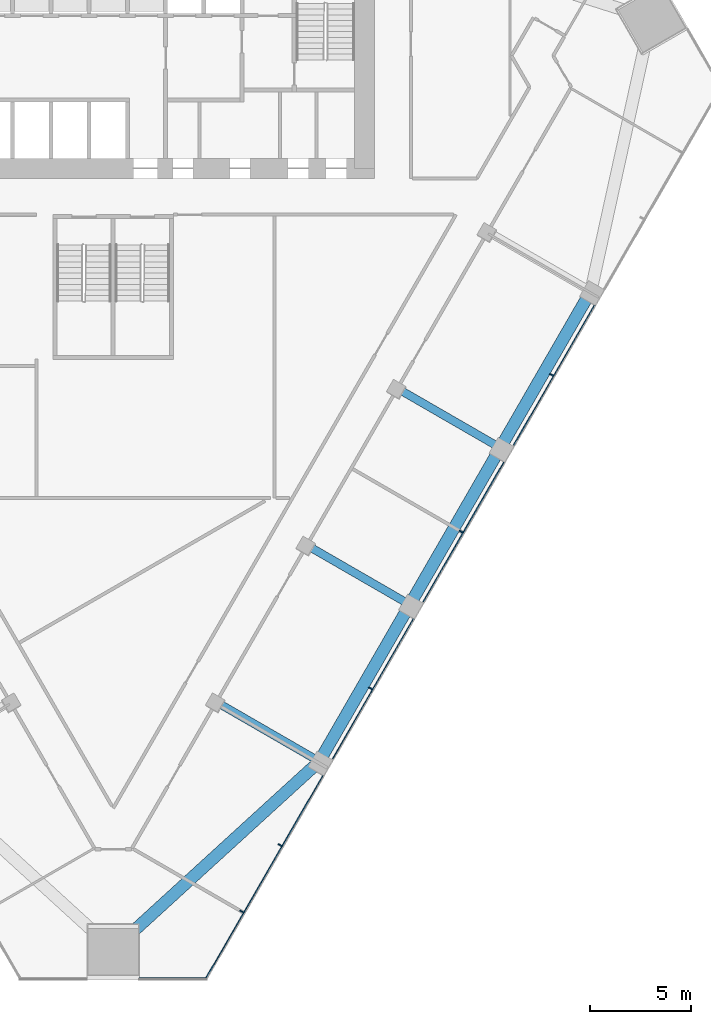
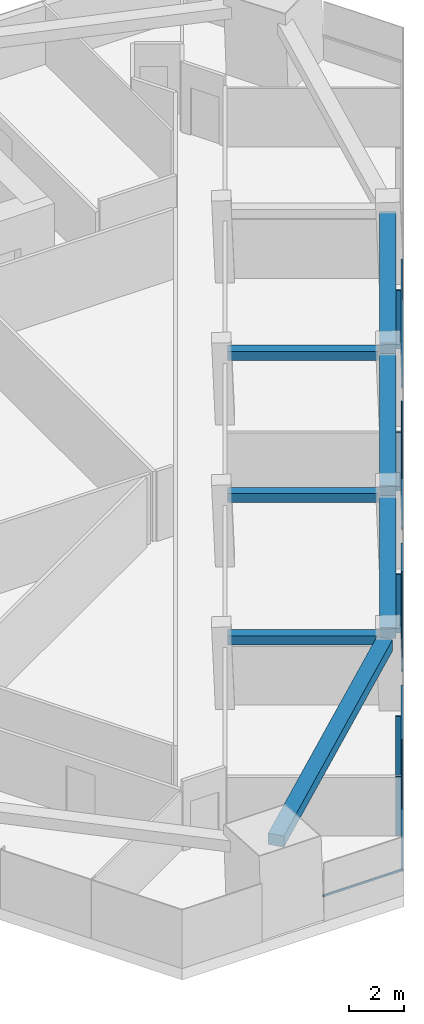
# One storey, part 4 of 13: 10 members, 7 beams, 2 elements without a shape of their own.
"""IFC4 building model written with IfcOpenShell, lengths in metres."""

import ifcopenshell
import ifcopenshell.guid

model = None  # the IFC model being written
_history = None  # IfcOwnerHistory: only IFC2X3 demands one
_inside = {}  # id of a spatial element -> (the spatial element, [elements in it])
_under = {}  # id of a project, library or spatial element -> (it, [spatial elements below it])
_declared = {}  # id of a project -> (the project, [libraries it declares])
_typed = {}  # id of a type object -> (the type object, [elements of that type])
_made_of = {}  # id of a material, layer set ... -> (it, [elements and type objects made of it])


def new_model(schema):
    """Start an empty IFC model of exactly this schema.

    Asked for "IFC4X3", IfcOpenShell would pick the latest addendum, in which some entities
    have other attributes; the version numbers below select the first issue.
    IFC2X3 requires an IfcOwnerHistory on every rooted entity: one is made here for all.
    """
    global model, _history
    if schema == "IFC4X3":
        model = ifcopenshell.file(schema_version=(4, 3, 0, 0))
    else:
        model = ifcopenshell.file(schema=schema)
    _inside.clear()
    _under.clear()
    _declared.clear()
    _typed.clear()
    _made_of.clear()
    _history = None
    if model.schema == "IFC2X3":
        org = make("IfcOrganization", Name="unknown")
        user = make(
            "IfcPersonAndOrganization",
            ThePerson=make("IfcPerson", FamilyName="unknown"),
            TheOrganization=org,
        )
        app = make(
            "IfcApplication",
            ApplicationDeveloper=org,
            Version="unknown",
            ApplicationFullName="unknown",
            ApplicationIdentifier="unknown",
        )
        _history = make(
            "IfcOwnerHistory",
            OwningUser=user,
            OwningApplication=app,
            ChangeAction="ADDED",
            CreationDate=0,
        )
    return model


def make(cls, **values):
    """One entity of the class cls with the attributes given. An attribute that is None is left unset."""
    return model.create_entity(
        cls, **{name: value for name, value in values.items() if value is not None}
    )


def rooted(cls, **values):
    """An entity with a GlobalId (a new one), such as an element, a storey or a relation."""
    return make(cls, GlobalId=ifcopenshell.guid.new(), OwnerHistory=_history, **values)


def si_unit(unit_type, name, prefix=None):
    """IfcSIUnit, for example si_unit("LENGTHUNIT", "METRE", prefix="MILLI")."""
    return make("IfcSIUnit", UnitType=unit_type, Prefix=prefix, Name=name)


def assignment(units):
    """IfcUnitAssignment: the units of a project."""
    return None if units is None else make("IfcUnitAssignment", Units=units)


def point(xyz):
    """IfcCartesianPoint."""
    return None if xyz is None else make("IfcCartesianPoint", Coordinates=xyz)


def direction(xyz):
    """IfcDirection."""
    return None if xyz is None else make("IfcDirection", DirectionRatios=xyz)


def frame(location, z_axis=None, x_axis=None):
    """IfcAxis2Placement3D, a coordinate frame: its origin and axes. An axis left out is left unset."""
    return make(
        "IfcAxis2Placement3D",
        Location=point(location),
        Axis=direction(z_axis),
        RefDirection=direction(x_axis),
    )


def frame_2d(location, x_axis=None):
    """IfcAxis2Placement2D, a coordinate frame in the plane: its origin and x axis."""
    return make(
        "IfcAxis2Placement2D", Location=point(location), RefDirection=direction(x_axis)
    )


def origin():
    """The frame at (0, 0, 0) with its axes left unset."""
    return frame((0.0, 0.0, 0.0))


def origin_2d():
    """The frame at (0, 0) in the plane with its x axis left unset."""
    return frame_2d((0.0, 0.0))


def place(relative_to, where):
    """IfcLocalPlacement: puts the frame where relative to a parent placement (None: the world)."""
    return make(
        "IfcLocalPlacement", PlacementRelTo=relative_to, RelativePlacement=where
    )


def context(
    kind, dimensions, precision=None, world=None, true_north=None, identifier=None
):
    """IfcGeometricRepresentationContext, for example the 3D "Model" context."""
    return make(
        "IfcGeometricRepresentationContext",
        ContextIdentifier=identifier,
        ContextType=kind,
        CoordinateSpaceDimension=dimensions,
        Precision=precision,
        WorldCoordinateSystem=world,
        TrueNorth=true_north,
    )


def subcontext(parent, identifier, kind, view, scale=None):
    """IfcGeometricRepresentationSubContext, for example "Body" below "Model"."""
    return make(
        "IfcGeometricRepresentationSubContext",
        ContextIdentifier=identifier,
        ContextType=kind,
        ParentContext=parent,
        TargetScale=scale,
        TargetView=view,
    )


def project(units=None, contexts=None):
    """IfcProject with its units and contexts."""
    return rooted(
        "IfcProject",
        Name="project",
        RepresentationContexts=contexts,
        UnitsInContext=assignment(units),
    )


def spatial(cls, under=None, at=None, **own):
    """A site, building, storey or space (cls), placed at a placement, below another one or the project."""
    s = rooted(cls, ObjectPlacement=at, **own)
    if under is not None:
        _under.setdefault(under.id(), (under, []))[1].append(s)
    return s


def profile(cls, at=None, kind="AREA", **sizes):
    """A parametric profile (cls). Its sizes go by their IFC names, for example OverallWidth=200.0."""
    return make(cls, ProfileType=kind, Position=at, **sizes)


def rectangle(**sizes):
    """IfcRectangleProfileDef."""
    return profile("IfcRectangleProfileDef", **sizes)


def extrude(swept, where, along, depth):
    """IfcExtrudedAreaSolid: the profile swept, set in the frame where, extruded along a direction by depth."""
    return make(
        "IfcExtrudedAreaSolid",
        SweptArea=swept,
        Position=where,
        ExtrudedDirection=direction(along),
        Depth=depth,
    )


def shape(context_of_items, identifier, shape_type, items):
    """IfcShapeRepresentation: the items that make up one representation, for example the "Body"."""
    return make(
        "IfcShapeRepresentation",
        ContextOfItems=context_of_items,
        RepresentationIdentifier=identifier,
        RepresentationType=shape_type,
        Items=items,
    )


def material(Name=None, Category=None):
    """IfcMaterial."""
    return make("IfcMaterial", Name=Name, Category=Category)


def layer(
    of_material, thickness, ventilated=None, Name=None, Category=None, Priority=None
):
    """IfcMaterialLayer: one layer of a wall or slab, of a material (None: an air gap)."""
    return make(
        "IfcMaterialLayer",
        Material=of_material,
        LayerThickness=thickness,
        IsVentilated=ventilated,
        Name=Name,
        Category=Category,
        Priority=Priority,
    )


def layer_set(layers, Name=None):
    """IfcMaterialLayerSet."""
    return make("IfcMaterialLayerSet", MaterialLayers=layers, LayerSetName=Name)


def material_profile(
    of_material, cross_section, Name=None, Category=None, Priority=None
):
    """IfcMaterialProfile: a cross section and its material."""
    return make(
        "IfcMaterialProfile",
        Name=Name,
        Material=of_material,
        Profile=cross_section,
        Priority=Priority,
        Category=Category,
    )


def profile_set(profiles, Name=None, composite=None):
    """IfcMaterialProfileSet."""
    return make(
        "IfcMaterialProfileSet",
        Name=Name,
        MaterialProfiles=profiles,
        CompositeProfile=composite,
    )


def made_of(thing, what):
    """Note that an element or type object is made of a material, layer set ...; save() writes the relation."""
    if what is not None:
        _made_of.setdefault(what.id(), (what, []))[1].append(thing)
    return thing


def type_object(cls, material=None, **own):
    """A type object (cls), such as IfcWallType, which elements share."""
    return made_of(rooted(cls, **own), material)


def element(
    cls,
    number,
    at=None,
    inside=None,
    cuts=None,
    type_object=None,
    material=None,
    context=None,
    identifier="Body",
    shape_type=None,
    held_by="IfcProductDefinitionShape",
    body=None,
    shapes=None,
    **own,
):
    """One element of the class cls, such as IfcWall. Its Tag is "e" and its number.

    at: its placement. inside: the storey or other place that contains it. cuts: it is an
    opening in that element (IfcRelVoidsElement). A single representation is given by context,
    identifier, shape_type and body (its items); several are given by shapes. held_by: the class
    of the entity that holds the representations. save() writes the other relations.
    """
    e = rooted(cls, Tag="e%d" % number, ObjectPlacement=at, **own)
    if body is not None:
        shapes = [shape(context, identifier, shape_type, body)]
    if shapes is not None:
        e.Representation = make(held_by, Representations=shapes)
    if inside is not None:
        _inside.setdefault(inside.id(), (inside, []))[1].append(e)
    if cuts is not None:
        rooted(
            "IfcRelVoidsElement", RelatingBuildingElement=cuts, RelatedOpeningElement=e
        )
    if type_object is not None:
        _typed.setdefault(type_object.id(), (type_object, []))[1].append(e)
    return made_of(e, material)


def aggregate(whole, parts):
    """IfcRelAggregates: a whole, such as a stair, and the parts it consists of."""
    return rooted("IfcRelAggregates", RelatingObject=whole, RelatedObjects=parts)


def save(model, path):
    """Write the relations noted so far, then the file.

    IfcRelAggregates (storeys below a building ...), IfcRelContainedInSpatialStructure (elements
    in a storey), IfcRelDefinesByType, IfcRelAssociatesMaterial and IfcRelDeclares: one each for
    every whole, place, type object, material and project.
    """
    for whole, parts in _under.values():
        aggregate(whole, parts)
    for where, things in _inside.values():
        rooted(
            "IfcRelContainedInSpatialStructure",
            RelatedElements=things,
            RelatingStructure=where,
        )
    for kind, things in _typed.values():
        rooted("IfcRelDefinesByType", RelatedObjects=things, RelatingType=kind)
    for what, things in _made_of.values():
        rooted("IfcRelAssociatesMaterial", RelatedObjects=things, RelatingMaterial=what)
    for by, libraries in _declared.values():
        rooted("IfcRelDeclares", RelatingContext=by, RelatedDefinitions=libraries)
    model.write(path)


model = new_model("IFC4")

# Units and contexts
model_context = context("Model", 3, precision=1e-05, world=origin(), true_north=direction((0.0, 1.0)))
body_context = subcontext(model_context, "Body", "Model", "MODEL_VIEW")
ifc_project = project(units=[si_unit("LENGTHUNIT", "METRE"), si_unit("AREAUNIT", "SQUARE_METRE"), si_unit("VOLUMEUNIT", "CUBIC_METRE"), si_unit("PLANEANGLEUNIT", "RADIAN"), si_unit("MASSUNIT", "GRAM", prefix="KILO")], contexts=[model_context])

# Site, building, storey
site_placement = place(None, origin())
site = spatial("IfcSite", under=ifc_project, at=site_placement, CompositionType="ELEMENT")
building_placement = place(site_placement, origin())
building = spatial("IfcBuilding", under=site, at=building_placement, Name="Altiplano Prism Tower", CompositionType="ELEMENT")
storey_placement = place(building_placement, frame((0.0, 0.0, 59.39990234375)))
storey = spatial("IfcBuildingStorey", under=building, at=storey_placement, Name="L14", CompositionType="ELEMENT", Elevation=59.39990234375)

# Curtain wall, members
ifc_material_1 = material(Name="Aluminium and glass", Category="aluminium")
ifc_layer = layer(ifc_material_1, 0.303955078125)
ifc_layer_set = layer_set([ifc_layer], Name="Aluminium and glass")
curtain_wall_type = type_object("IfcCurtainWallType", Name="CW2 lounge-band unitised glazing", PredefinedType="NOTDEFINED", material=ifc_layer_set)
curtain_wall_1_placement = place(storey_placement, origin())
curtain_wall_1 = element("IfcCurtainWall", 1, at=curtain_wall_1_placement, inside=storey, type_object=curtain_wall_type, Name="CW2 curtain wall south-east face L14", PredefinedType="NOTDEFINED")
ifc_material_2 = material(Name="Aluminium", Category="aluminium")
ifc_material_profile_1 = material_profile(ifc_material_2, rectangle(XDim=0.199951171875, YDim=0.06005859375, at=origin_2d()), Name="CW2 mullion 60 x 200")
ifc_profile_set_1 = profile_set([ifc_material_profile_1], Name="Aluminium")
member_type_1 = type_object("IfcMemberType", Name="CW2 mullion 60 x 200", PredefinedType="MULLION", material=ifc_profile_set_1)
member_1_placement = place(storey_placement, frame((91.383544921875, 55.958251953125, 0.0), z_axis=(0.0, 0.0, 1.0), x_axis=(-0.866025407284, 0.499999993939, 0.0)))
member_1 = element("IfcMember", 2, at=member_1_placement, type_object=member_type_1, Name="CW2 mullion", PredefinedType="MULLION", context=body_context, shape_type="SweptSolid", body=[
    extrude(rectangle(XDim=0.199951171875, YDim=0.06005859375, at=origin_2d()), origin(), (0.0, 0.0, 1.0), 2.60009765625),
])
member_2_placement = place(storey_placement, frame((93.2900390625, 59.260498046875, 0.0), z_axis=(0.0, 0.0, 1.0), x_axis=(-0.866025407284, 0.499999993939, 0.0)))
member_2 = element("IfcMember", 3, at=member_2_placement, type_object=member_type_1, Name="CW2 mullion", PredefinedType="MULLION", context=body_context, shape_type="SweptSolid", body=[
    extrude(rectangle(XDim=0.199951171875, YDim=0.06005859375, at=origin_2d()), origin(), (0.0, 0.0, 1.0), 2.60009765625),
])
member_3_placement = place(storey_placement, frame((97.7900390625, 67.0546875, 0.0), z_axis=(0.0, 0.0, 1.0), x_axis=(-0.866025407284, 0.499999993939, 0.0)))
member_3 = element("IfcMember", 4, at=member_3_placement, type_object=member_type_1, Name="CW2 mullion", PredefinedType="MULLION", context=body_context, shape_type="SweptSolid", body=[
    extrude(rectangle(XDim=0.199951171875, YDim=0.06005859375, at=origin_2d()), origin(), (0.0, 0.0, 1.0), 2.60009765625),
])
member_4_placement = place(storey_placement, frame((102.2900390625, 74.848876953125, 0.0), z_axis=(0.0, 0.0, 1.0), x_axis=(-0.866025407284, 0.499999993939, 0.0)))
member_4 = element("IfcMember", 5, at=member_4_placement, type_object=member_type_1, Name="CW2 mullion", PredefinedType="MULLION", context=body_context, shape_type="SweptSolid", body=[
    extrude(rectangle(XDim=0.199951171875, YDim=0.06005859375, at=origin_2d()), origin(), (0.0, 0.0, 1.0), 2.60009765625),
])
member_5_placement = place(storey_placement, frame((106.7900390625, 82.64306640625, 0.0), z_axis=(0.0, 0.0, 1.0), x_axis=(-0.866025407284, 0.499999993939, 0.0)))
member_5 = element("IfcMember", 6, at=member_5_placement, type_object=member_type_1, Name="CW2 mullion", PredefinedType="MULLION", context=body_context, shape_type="SweptSolid", body=[
    extrude(rectangle(XDim=0.199951171875, YDim=0.06005859375, at=origin_2d()), origin(), (0.0, 0.0, 1.0), 2.60009765625),
])

# Curtain wall, member
curtain_wall_2_placement = place(storey_placement, origin())
curtain_wall_2 = element("IfcCurtainWall", 7, at=curtain_wall_2_placement, inside=storey, type_object=curtain_wall_type, Name="CW2 curtain wall south chamfer L14", PredefinedType="NOTDEFINED")
ifc_material_profile_2 = material_profile(ifc_material_2, rectangle(XDim=0.06005859375, YDim=0.080078125, at=origin_2d()), Name="CW2 transom 80 x 60")
ifc_profile_set_2 = profile_set([ifc_material_profile_2], Name="Aluminium")
member_type_2 = type_object("IfcMemberType", Name="CW2 transom 80 x 60", PredefinedType="USERDEFINED", material=ifc_profile_set_2)
member_6_placement = place(storey_placement, frame((86.300048828125, 52.628173828125, 1.10009765625), z_axis=(1.0, 0.0, 0.0), x_axis=(0.0, 1.0, 0.0)))
member_6 = element("IfcMember", 8, at=member_6_placement, type_object=member_type_2, Name="CW2 transom", ObjectType="TRANSOM", PredefinedType="USERDEFINED", context=body_context, shape_type="SweptSolid", body=[
    extrude(rectangle(XDim=0.06005859375, YDim=0.080078125, at=origin_2d()), origin(), (0.0, 0.0, 1.0), 3.353515625),
])
aggregate(curtain_wall_2, [member_6])

# Member
member_7_placement = place(storey_placement, frame((89.589599609375, 52.591064453125, 1.10009765625), z_axis=(0.500000605394, 0.86602505426, 0.0), x_axis=(-0.86602505426, 0.500000605394, 0.0)))
member_7 = element("IfcMember", 9, at=member_7_placement, type_object=member_type_2, Name="CW2 transom", ObjectType="TRANSOM", PredefinedType="USERDEFINED", context=body_context, shape_type="SweptSolid", body=[
    extrude(rectangle(XDim=0.06005859375, YDim=0.080078125, at=origin_2d()), origin(), (0.0, 0.0, 1.0), 11.67529296875),
])

member_8_placement = place(storey_placement, frame((95.917236328125, 63.551025390625, 1.10009765625), z_axis=(0.499999136801, 0.866025902152, 0.0), x_axis=(-0.866025902152, 0.499999136801, 0.0)))
member_8 = element("IfcMember", 10, at=member_8_placement, type_object=member_type_2, Name="CW2 transom", ObjectType="TRANSOM", PredefinedType="USERDEFINED", context=body_context, shape_type="SweptSolid", body=[
    extrude(rectangle(XDim=0.06005859375, YDim=0.080078125, at=origin_2d()), origin(), (0.0, 0.0, 1.0), 8.02001953125),
])

member_9_placement = place(storey_placement, frame((100.417236328125, 71.34521484375, 1.10009765625), z_axis=(0.499999136801, 0.866025902152, 0.0), x_axis=(-0.866025902152, 0.499999136801, 0.0)))
member_9 = element("IfcMember", 11, at=member_9_placement, type_object=member_type_2, Name="CW2 transom", ObjectType="TRANSOM", PredefinedType="USERDEFINED", context=body_context, shape_type="SweptSolid", body=[
    extrude(rectangle(XDim=0.06005859375, YDim=0.080078125, at=origin_2d()), origin(), (0.0, 0.0, 1.0), 8.02001953125),
])

member_10_placement = place(storey_placement, frame((104.917236328125, 79.1396484375, 1.10009765625), z_axis=(0.500012318566, 0.86601829154, 0.0), x_axis=(-0.86601829154, 0.500012318566, 0.0)))
member_10 = element("IfcMember", 12, at=member_10_placement, type_object=member_type_2, Name="CW2 transom", ObjectType="TRANSOM", PredefinedType="USERDEFINED", context=body_context, shape_type="SweptSolid", body=[
    extrude(rectangle(XDim=0.06005859375, YDim=0.080078125, at=origin_2d()), origin(), (0.0, 0.0, 1.0), 8.019775390625),
])

aggregate(curtain_wall_1, [member_1, member_2, member_7, member_3, member_8, member_4, member_9, member_5, member_10])

# Beams
ifc_material_3 = material(Name="Concrete C60/75", Category="concrete")
ifc_material_profile_3 = material_profile(ifc_material_3, rectangle(XDim=0.60009765625, YDim=0.5, at=origin_2d()), Name="Edge beam 600x500")
ifc_profile_set_3 = profile_set([ifc_material_profile_3], Name="Concrete C60/75")
beam_type_1 = type_object("IfcBeamType", Name="Edge beam 600x500", PredefinedType="SPANDREL", material=ifc_profile_set_3)
beam_placement = place(storey_placement, frame((85.332275390625, 54.367919921875, 2.85009765625), z_axis=(0.738534819189, 0.674215337148, 0.0), x_axis=(-0.674215337148, 0.738534819189, 0.0)))
element("IfcBeam", 13, at=beam_placement, inside=storey, type_object=beam_type_1, Name="Edge beam M1-P21 L15", PredefinedType="SPANDREL", context=body_context, shape_type="SweptSolid", body=[
    extrude(rectangle(XDim=0.60009765625, YDim=0.5, at=origin_2d()), origin(), (0.0, 0.0, 1.0), 13.072509765625),
])
for number, where, z_axis, x_axis, name in (
    (14, (95.411865234375, 63.704833984375, 2.85009765625), (0.500014701701, 0.866016915587, 0.0), (-0.866016915587, 0.500014701701, 0.0), "Edge beam P21-P22 L15"),
    (15, (99.911865234375, 71.4990234375, 2.85009765625), (0.500014701701, 0.866016915587, 0.0), (-0.866016915587, 0.500014701701, 0.0), "Edge beam P22-P23 L15"),
    (16, (104.411865234375, 79.29345703125, 2.85009765625), (0.500014701701, 0.866016915587, 0.0), (-0.866016915587, 0.500014701701, 0.0), "Edge beam P23-P24 L15"),
):
    element("IfcBeam", number, at=place(storey_placement, frame(where, z_axis=z_axis, x_axis=x_axis)), inside=storey, type_object=beam_type_1, Name=name, PredefinedType="SPANDREL", context=body_context, shape_type="SweptSolid", body=[
        extrude(rectangle(XDim=0.60009765625, YDim=0.5, at=origin_2d()), origin(), (0.0, 0.0, 1.0), 8.340087890625),
    ])
ifc_material_profile_4 = material_profile(ifc_material_3, rectangle(XDim=0.39990234375, YDim=0.39990234375, at=origin_2d()), Name="Tie beam 400x400")
ifc_profile_set_4 = profile_set([ifc_material_profile_4], Name="Concrete C60/75")
beam_type_2 = type_object("IfcBeamType", Name="Tie beam 400x400", PredefinedType="BEAM", material=ifc_profile_set_4)
for number, where, z_axis, x_axis, name in (
    (17, (90.20654296875, 66.3291015625, 2.900146484375), (0.866042665983, -0.499970099802, 0.0), (0.499970099802, 0.866042665983, 0.0), "Tie beam I21 L15"),
    (18, (94.70654296875, 74.123291015625, 2.900146484375), (0.866042665983, -0.499970099802, 0.0), (0.499970099802, 0.866042665983, 0.0), "Tie beam I22 L15"),
    (19, (99.20654296875, 81.91748046875, 2.900146484375), (0.866042665983, -0.499970099802, 0.0), (0.499970099802, 0.866042665983, 0.0), "Tie beam I23 L15"),
):
    element("IfcBeam", number, at=place(storey_placement, frame(where, z_axis=z_axis, x_axis=x_axis)), inside=storey, type_object=beam_type_2, Name=name, PredefinedType="BEAM", context=body_context, shape_type="SweptSolid", body=[
        extrude(rectangle(XDim=0.39990234375, YDim=0.39990234375, at=origin_2d()), origin(), (0.0, 0.0, 1.0), 5.489990234375),
    ])

save(model, "model.ifc")
